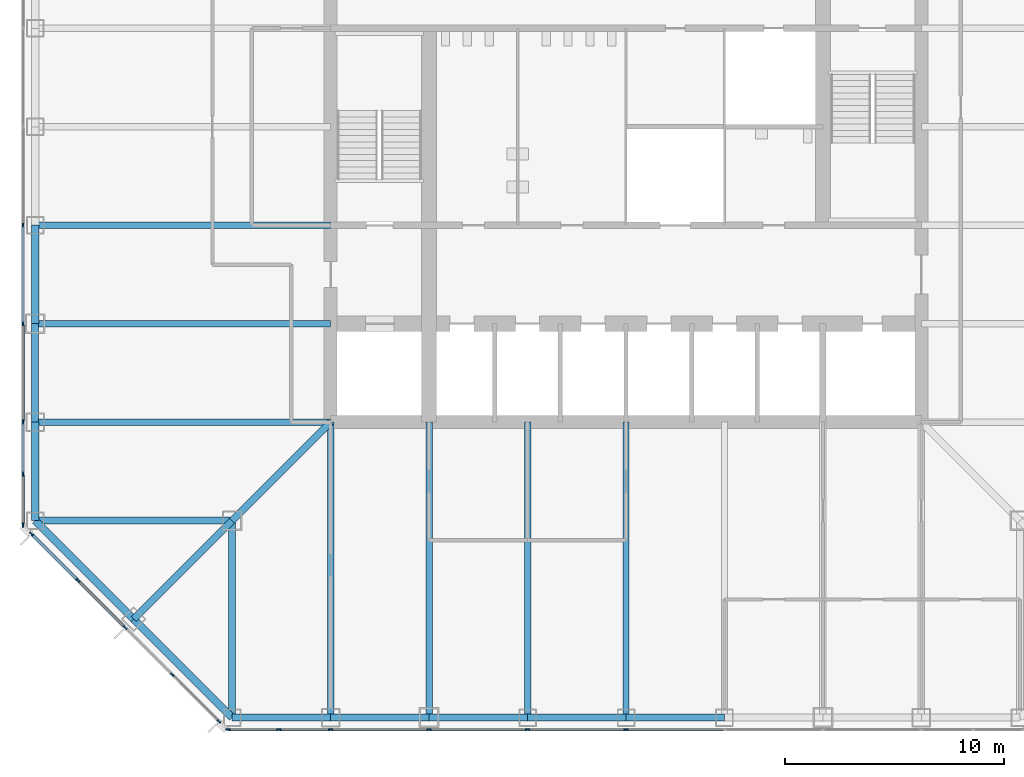
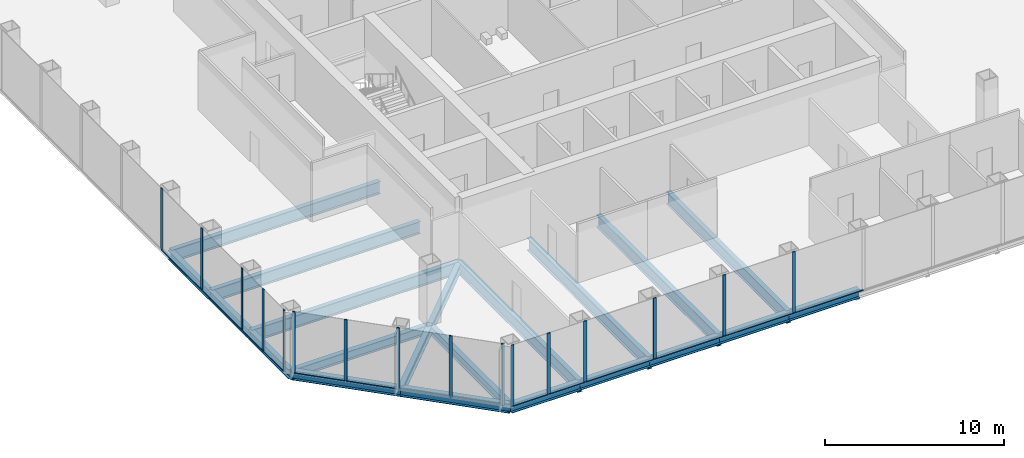
# One storey, part 2 of 12: 28 members, 21 beams, 3 elements without a shape of their own.
"""IFC4 building model written with IfcOpenShell, lengths in metres."""

from ifc_helpers import new_model, si_unit, direction, frame, origin, origin_2d, place, context, subcontext, project, spatial, rectangle, i_section, extrude, material, material_profile, profile_set, type_object, element, aggregate, save


model = new_model("IFC4")

# Units and contexts
model_context = context("Model", 3, precision=1e-05, world=origin(), true_north=direction((0.0, 1.0)))
body_context = subcontext(model_context, "Body", "Model", "MODEL_VIEW")
ifc_project = project(units=[si_unit("LENGTHUNIT", "METRE"), si_unit("AREAUNIT", "SQUARE_METRE"), si_unit("VOLUMEUNIT", "CUBIC_METRE"), si_unit("PLANEANGLEUNIT", "RADIAN"), si_unit("MASSUNIT", "GRAM", prefix="KILO")], contexts=[model_context])

# Site, building, storey
site_placement = place(None, origin())
site = spatial("IfcSite", under=ifc_project, at=site_placement, CompositionType="ELEMENT")
building_placement = place(site_placement, origin())
building = spatial("IfcBuilding", under=site, at=building_placement, Name="Corais Broadcast Tower", CompositionType="ELEMENT")
storey_placement = place(building_placement, frame((0.0, 0.0, 45.800048828125)))
storey = spatial("IfcBuildingStorey", under=building, at=storey_placement, Name="L09", CompositionType="ELEMENT", Elevation=45.800048828125)

# Beams
ifc_material_1 = material(Name="Steel ASTM A572 Grade 50", Category="steel")
ifc_material_profile_1 = material_profile(ifc_material_1, i_section(OverallWidth=0.323974609375, OverallDepth=0.611083984375, WebThickness=0.0126953125, FlangeThickness=0.01904296875, at=origin_2d()), Name="W610x155")
ifc_profile_set_1 = profile_set([ifc_material_profile_1], Name="Steel ASTM A572 Grade 50")
beam_type_1 = type_object("IfcBeamType", Name="Chamfer tie W610x155", PredefinedType="BEAM", material=ifc_profile_set_1)
beam_1_placement = place(storey_placement, frame((4.5, 4.5, -0.465576171875), z_axis=(0.707106781187, 0.707106781187, 0.0), x_axis=(-0.707106781187, 0.707106781187, 0.0)))
element("IfcBeam", 1, at=beam_1_placement, inside=storey, type_object=beam_type_1, Name="B5 B/4 to C/5", PredefinedType="BEAM", context=body_context, shape_type="SweptSolid", body=[
    extrude(i_section(OverallWidth=0.323974609375, OverallDepth=0.611083984375, WebThickness=0.0126953125, FlangeThickness=0.01904296875, at=origin_2d()), origin(), (0.0, 0.0, 1.0), 6.364013671875),
])
ifc_material_2 = material(Name="Steel ASTM A572 Grade 50", Category="steel")
ifc_material_profile_2 = material_profile(ifc_material_2, i_section(OverallWidth=0.323974609375, OverallDepth=0.611083984375, WebThickness=0.0126953125, FlangeThickness=0.01904296875, at=origin_2d()), Name="W610x155")
ifc_profile_set_2 = profile_set([ifc_material_profile_2], Name="Steel ASTM A572 Grade 50")
beam_type_2 = type_object("IfcBeamType", Name="Corner diagonal W610x155", PredefinedType="BEAM", material=ifc_profile_set_2)
beam_2_placement = place(storey_placement, frame((9.0, 9.0, -0.465576171875), z_axis=(0.707106781187, 0.707106781187, 0.0), x_axis=(-0.707106781187, 0.707106781187, 0.0)))
element("IfcBeam", 2, at=beam_2_placement, inside=storey, type_object=beam_type_2, Name="B6 C/5 to D/6", PredefinedType="BEAM", context=body_context, shape_type="SweptSolid", body=[
    extrude(i_section(OverallWidth=0.323974609375, OverallDepth=0.611083984375, WebThickness=0.0126953125, FlangeThickness=0.01904296875, at=origin_2d()), origin(), (0.0, 0.0, 1.0), 6.364013671875),
])
ifc_material_3 = material(Name="Steel ASTM A572 Grade 50", Category="steel")
ifc_material_profile_3 = material_profile(ifc_material_3, i_section(OverallWidth=0.323974609375, OverallDepth=0.611083984375, WebThickness=0.0126953125, FlangeThickness=0.01904296875, at=origin_2d()), Name="W610x155")
ifc_profile_set_3 = profile_set([ifc_material_profile_3], Name="Steel ASTM A572 Grade 50")
beam_type_3 = type_object("IfcBeamType", Name="Corner girder W610x155", PredefinedType="BEAM", material=ifc_profile_set_3)
for number, where, z_axis, x_axis, name in (
    (3, (0.0, 9.0, -0.465576171875), (1.0, 0.0, 0.0), (0.0, 1.0, 0.0), "B4 C/3 to C/5"),
    (4, (9.0, 0.0, -0.465576171875), (0.0, 1.0, 0.0), (-1.0, 0.0, 0.0), "B4 A/5 to C/5"),
):
    element("IfcBeam", number, at=place(storey_placement, frame(where, z_axis=z_axis, x_axis=x_axis)), inside=storey, type_object=beam_type_3, Name=name, PredefinedType="BEAM", context=body_context, shape_type="SweptSolid", body=[
        extrude(i_section(OverallWidth=0.323974609375, OverallDepth=0.611083984375, WebThickness=0.0126953125, FlangeThickness=0.01904296875, at=origin_2d()), origin(), (0.0, 0.0, 1.0), 9.0),
    ])
ifc_material_4 = material(Name="Steel ASTM A572 Grade 50", Category="steel")
ifc_material_profile_4 = material_profile(ifc_material_4, i_section(OverallWidth=0.2939453125, OverallDepth=0.85107421875, WebThickness=0.01611328125, FlangeThickness=0.02685546875, at=origin_2d()), Name="W840x226")
ifc_profile_set_4 = profile_set([ifc_material_profile_4], Name="Steel ASTM A572 Grade 50")
beam_type_4 = type_object("IfcBeamType", Name="Floor beam W840x226", PredefinedType="BEAM", material=ifc_profile_set_4)
for number, where, z_axis, x_axis, name in (
    (5, (0.0, 13.5, -0.58544921875), (1.0, 0.0, 0.0), (0.0, 1.0, 0.0), "B1 D/3 to D/6"),
    (6, (0.0, 18.0, -0.58544921875), (1.0, 0.0, 0.0), (0.0, 1.0, 0.0), "B1 E/3 to E/6"),
    (7, (0.0, 22.5, -0.58544921875), (1.0, 0.0, 0.0), (0.0, 1.0, 0.0), "B1 F/3 to F/6"),
    (8, (13.5, 0.0, -0.58544921875), (0.0, 1.0, 0.0), (-1.0, 0.0, 0.0), "B1 A/6 to D/6"),
    (9, (18.0, 0.0, -0.58544921875), (0.0, 1.0, 0.0), (-1.0, 0.0, 0.0), "B1 A/7 to D/7"),
    (10, (22.5, 0.0, -0.58544921875), (0.0, 1.0, 0.0), (-1.0, 0.0, 0.0), "B1 A/8 to D/8"),
    (11, (27.0, 0.0, -0.58544921875), (0.0, 1.0, 0.0), (-1.0, 0.0, 0.0), "B1 A/9 to D/9"),
):
    element("IfcBeam", number, at=place(storey_placement, frame(where, z_axis=z_axis, x_axis=x_axis)), inside=storey, type_object=beam_type_4, Name=name, PredefinedType="BEAM", context=body_context, shape_type="SweptSolid", body=[
        extrude(i_section(OverallWidth=0.2939453125, OverallDepth=0.85107421875, WebThickness=0.01611328125, FlangeThickness=0.02685546875, at=origin_2d()), origin(), (0.0, 0.0, 1.0), 13.5),
    ])

# Curtain wall, members
ifc_material_5 = material(Name="Aluminium and glass", Category="aluminium")
curtain_wall_type = type_object("IfcCurtainWallType", Name="Unitised fritted curtain wall CW1", PredefinedType="NOTDEFINED", material=ifc_material_5)
curtain_wall_1_placement = place(storey_placement, origin())
curtain_wall_1 = element("IfcCurtainWall", 12, at=curtain_wall_1_placement, inside=storey, type_object=curtain_wall_type, Name="CW1 curtain wall L09 1", PredefinedType="NOTDEFINED")
ifc_material_6 = material(Name="Aluminium 6063-T6", Category="aluminium")
ifc_material_profile_5 = material_profile(ifc_material_6, rectangle(XDim=0.06494140625, YDim=0.199951171875, at=origin_2d()), Name="Mullion CW1 65x200")
ifc_profile_set_5 = profile_set([ifc_material_profile_5], Name="Aluminium 6063-T6")
member_type_1 = type_object("IfcMemberType", Name="Mullion CW1 65x200", PredefinedType="MULLION", material=ifc_profile_set_5)
member_1_placement = place(storey_placement, frame((8.3955078125, -0.17333984375, 0.0), z_axis=(0.0, 0.0, 1.0), x_axis=(-0.707106781187, -0.707106781187, 0.0)))
member_1 = element("IfcMember", 13, at=member_1_placement, type_object=member_type_1, Name="CW1 mullion 1", PredefinedType="MULLION", context=body_context, shape_type="SweptSolid", body=[
    extrude(rectangle(XDim=0.06494140625, YDim=0.199951171875, at=origin_2d()), origin(), (0.0, 0.0, 1.0), 4.199951171875),
])
member_2_placement = place(storey_placement, frame((6.264892578125, 1.957275390625, 0.0), z_axis=(0.0, 0.0, 1.0), x_axis=(-0.707106781187, -0.707106781187, 0.0)))
member_2 = element("IfcMember", 14, at=member_2_placement, type_object=member_type_1, Name="CW1 mullion 2", PredefinedType="MULLION", context=body_context, shape_type="SweptSolid", body=[
    extrude(rectangle(XDim=0.06494140625, YDim=0.199951171875, at=origin_2d()), origin(), (0.0, 0.0, 1.0), 4.199951171875),
])
member_3_placement = place(storey_placement, frame((4.111083984375, 4.111083984375, 0.0), z_axis=(0.0, 0.0, 1.0), x_axis=(-0.707106781187, -0.707106781187, 0.0)))
member_3 = element("IfcMember", 15, at=member_3_placement, type_object=member_type_1, Name="CW1 mullion 3", PredefinedType="MULLION", context=body_context, shape_type="SweptSolid", body=[
    extrude(rectangle(XDim=0.06494140625, YDim=0.199951171875, at=origin_2d()), origin(), (0.0, 0.0, 1.0), 4.199951171875),
])
member_4_placement = place(storey_placement, frame((1.957275390625, 6.264892578125, 0.0), z_axis=(0.0, 0.0, 1.0), x_axis=(-0.707106781187, -0.707106781187, 0.0)))
member_4 = element("IfcMember", 16, at=member_4_placement, type_object=member_type_1, Name="CW1 mullion 4", PredefinedType="MULLION", context=body_context, shape_type="SweptSolid", body=[
    extrude(rectangle(XDim=0.06494140625, YDim=0.199951171875, at=origin_2d()), origin(), (0.0, 0.0, 1.0), 4.199951171875),
])
member_5_placement = place(storey_placement, frame((-0.17333984375, 8.3955078125, 0.0), z_axis=(0.0, 0.0, 1.0), x_axis=(-0.707106781187, -0.707106781187, 0.0)))
member_5 = element("IfcMember", 17, at=member_5_placement, type_object=member_type_1, Name="CW1 mullion 5", PredefinedType="MULLION", context=body_context, shape_type="SweptSolid", body=[
    extrude(rectangle(XDim=0.06494140625, YDim=0.199951171875, at=origin_2d()), origin(), (0.0, 0.0, 1.0), 4.199951171875),
])

curtain_wall_2_placement = place(storey_placement, origin())
curtain_wall_2 = element("IfcCurtainWall", 18, at=curtain_wall_2_placement, inside=storey, type_object=curtain_wall_type, Name="CW1 curtain wall L09 2", PredefinedType="NOTDEFINED")
member_6_placement = place(storey_placement, frame((-0.550048828125, 8.8046875, 0.0), z_axis=(0.0, 0.0, 1.0), x_axis=(-1.0, 0.0, 0.0)))
member_6 = element("IfcMember", 19, at=member_6_placement, type_object=member_type_1, Name="CW1 mullion 1", PredefinedType="MULLION", context=body_context, shape_type="SweptSolid", body=[
    extrude(rectangle(XDim=0.06494140625, YDim=0.199951171875, at=origin_2d()), origin(), (0.0, 0.0, 1.0), 4.199951171875),
])
member_7_placement = place(storey_placement, frame((-0.550048828125, 11.135986328125, 0.0), z_axis=(0.0, 0.0, 1.0), x_axis=(-1.0, 0.0, 0.0)))
member_7 = element("IfcMember", 20, at=member_7_placement, type_object=member_type_1, Name="CW1 mullion 2", PredefinedType="MULLION", context=body_context, shape_type="SweptSolid", body=[
    extrude(rectangle(XDim=0.06494140625, YDim=0.199951171875, at=origin_2d()), origin(), (0.0, 0.0, 1.0), 4.199951171875),
])
member_8_placement = place(storey_placement, frame((-0.550048828125, 13.5, 0.0), z_axis=(0.0, 0.0, 1.0), x_axis=(-1.0, 0.0, 0.0)))
member_8 = element("IfcMember", 21, at=member_8_placement, type_object=member_type_1, Name="CW1 mullion 3", PredefinedType="MULLION", context=body_context, shape_type="SweptSolid", body=[
    extrude(rectangle(XDim=0.06494140625, YDim=0.199951171875, at=origin_2d()), origin(), (0.0, 0.0, 1.0), 4.199951171875),
])
member_9_placement = place(storey_placement, frame((-0.550048828125, 18.0, 0.0), z_axis=(0.0, 0.0, 1.0), x_axis=(-1.0, 0.0, 0.0)))
member_9 = element("IfcMember", 22, at=member_9_placement, type_object=member_type_1, Name="CW1 mullion 4", PredefinedType="MULLION", context=body_context, shape_type="SweptSolid", body=[
    extrude(rectangle(XDim=0.06494140625, YDim=0.199951171875, at=origin_2d()), origin(), (0.0, 0.0, 1.0), 4.199951171875),
])
member_10_placement = place(storey_placement, frame((-0.550048828125, 22.5, 0.0), z_axis=(0.0, 0.0, 1.0), x_axis=(-1.0, 0.0, 0.0)))
member_10 = element("IfcMember", 23, at=member_10_placement, type_object=member_type_1, Name="CW1 mullion 5", PredefinedType="MULLION", context=body_context, shape_type="SweptSolid", body=[
    extrude(rectangle(XDim=0.06494140625, YDim=0.199951171875, at=origin_2d()), origin(), (0.0, 0.0, 1.0), 4.199951171875),
])

curtain_wall_3_placement = place(storey_placement, origin())
curtain_wall_3 = element("IfcCurtainWall", 24, at=curtain_wall_3_placement, inside=storey, type_object=curtain_wall_type, Name="CW1 curtain wall L09 8", PredefinedType="NOTDEFINED")
member_11_placement = place(storey_placement, frame((27.0, -0.550048828125, 0.0), z_axis=(0.0, 0.0, 1.0), x_axis=(0.0, -1.0, 0.0)))
member_11 = element("IfcMember", 25, at=member_11_placement, type_object=member_type_1, Name="CW1 mullion 6", PredefinedType="MULLION", context=body_context, shape_type="SweptSolid", body=[
    extrude(rectangle(XDim=0.06494140625, YDim=0.199951171875, at=origin_2d()), origin(), (0.0, 0.0, 1.0), 4.199951171875),
])
member_12_placement = place(storey_placement, frame((22.5, -0.550048828125, 0.0), z_axis=(0.0, 0.0, 1.0), x_axis=(0.0, -1.0, 0.0)))
member_12 = element("IfcMember", 26, at=member_12_placement, type_object=member_type_1, Name="CW1 mullion 7", PredefinedType="MULLION", context=body_context, shape_type="SweptSolid", body=[
    extrude(rectangle(XDim=0.06494140625, YDim=0.199951171875, at=origin_2d()), origin(), (0.0, 0.0, 1.0), 4.199951171875),
])
member_13_placement = place(storey_placement, frame((18.0, -0.550048828125, 0.0), z_axis=(0.0, 0.0, 1.0), x_axis=(0.0, -1.0, 0.0)))
member_13 = element("IfcMember", 27, at=member_13_placement, type_object=member_type_1, Name="CW1 mullion 8", PredefinedType="MULLION", context=body_context, shape_type="SweptSolid", body=[
    extrude(rectangle(XDim=0.06494140625, YDim=0.199951171875, at=origin_2d()), origin(), (0.0, 0.0, 1.0), 4.199951171875),
])
member_14_placement = place(storey_placement, frame((13.5, -0.550048828125, 0.0), z_axis=(0.0, 0.0, 1.0), x_axis=(0.0, -1.0, 0.0)))
member_14 = element("IfcMember", 28, at=member_14_placement, type_object=member_type_1, Name="CW1 mullion 9", PredefinedType="MULLION", context=body_context, shape_type="SweptSolid", body=[
    extrude(rectangle(XDim=0.06494140625, YDim=0.199951171875, at=origin_2d()), origin(), (0.0, 0.0, 1.0), 4.199951171875),
])
member_15_placement = place(storey_placement, frame((11.135986328125, -0.550048828125, 0.0), z_axis=(0.0, 0.0, 1.0), x_axis=(0.0, -1.0, 0.0)))
member_15 = element("IfcMember", 29, at=member_15_placement, type_object=member_type_1, Name="CW1 mullion 10", PredefinedType="MULLION", context=body_context, shape_type="SweptSolid", body=[
    extrude(rectangle(XDim=0.06494140625, YDim=0.199951171875, at=origin_2d()), origin(), (0.0, 0.0, 1.0), 4.199951171875),
])
member_16_placement = place(storey_placement, frame((8.8046875, -0.550048828125, 0.0), z_axis=(0.0, 0.0, 1.0), x_axis=(0.0, -1.0, 0.0)))
member_16 = element("IfcMember", 30, at=member_16_placement, type_object=member_type_1, Name="CW1 mullion 11", PredefinedType="MULLION", context=body_context, shape_type="SweptSolid", body=[
    extrude(rectangle(XDim=0.06494140625, YDim=0.199951171875, at=origin_2d()), origin(), (0.0, 0.0, 1.0), 4.199951171875),
])

# Beams
ifc_material_7 = material(Name="Steel ASTM A572 Grade 50", Category="steel")
ifc_material_profile_6 = material_profile(ifc_material_7, i_section(OverallWidth=0.323974609375, OverallDepth=0.611083984375, WebThickness=0.0126953125, FlangeThickness=0.01904296875, at=origin_2d()), Name="W610x155")
ifc_profile_set_6 = profile_set([ifc_material_profile_6], Name="Steel ASTM A572 Grade 50")
beam_type_5 = type_object("IfcBeamType", Name="Pinned spandrel W610x155", PredefinedType="BEAM", material=ifc_profile_set_6)
for number, where, z_axis, x_axis, name in (
    (31, (0.0, 18.0, -0.465576171875), (0.0, -1.0, 0.0), (1.0, 0.0, 0.0), "SB6 E/3 to D/3"),
    (32, (13.5, 0.0, -0.465576171875), (1.0, 0.0, 0.0), (0.0, 1.0, 0.0), "SB6 A/6 to A/7"),
):
    element("IfcBeam", number, at=place(storey_placement, frame(where, z_axis=z_axis, x_axis=x_axis)), inside=storey, type_object=beam_type_5, Name=name, PredefinedType="BEAM", context=body_context, shape_type="SweptSolid", body=[
        extrude(i_section(OverallWidth=0.323974609375, OverallDepth=0.611083984375, WebThickness=0.0126953125, FlangeThickness=0.01904296875, at=origin_2d()), origin(), (0.0, 0.0, 1.0), 4.5),
    ])
ifc_material_8 = material(Name="Steel ASTM A572 Grade 50", Category="steel")
ifc_material_profile_7 = material_profile(ifc_material_8, i_section(OverallWidth=0.3291015625, OverallDepth=0.635009765625, WebThickness=0.017822265625, FlangeThickness=0.031005859375, at=origin_2d()), Name="W610x241")
ifc_profile_set_7 = profile_set([ifc_material_profile_7], Name="Steel ASTM A572 Grade 50")
beam_type_6 = type_object("IfcBeamType", Name="Spandrel W610x241", PredefinedType="BEAM", material=ifc_profile_set_7)
for number, where, z_axis, x_axis, name in (
    (33, (0.0, 13.5, -0.4775390625), (0.0, -1.0, 0.0), (1.0, 0.0, 0.0), "SB1 D/3 to C/3"),
    (34, (0.0, 22.5, -0.4775390625), (0.0, -1.0, 0.0), (1.0, 0.0, 0.0), "SB1 F/3 to E/3"),
):
    element("IfcBeam", number, at=place(storey_placement, frame(where, z_axis=z_axis, x_axis=x_axis)), inside=storey, type_object=beam_type_6, Name=name, PredefinedType="BEAM", context=body_context, shape_type="SweptSolid", body=[
        extrude(i_section(OverallWidth=0.3291015625, OverallDepth=0.635009765625, WebThickness=0.017822265625, FlangeThickness=0.031005859375, at=origin_2d()), origin(), (0.0, 0.0, 1.0), 4.5),
    ])
beam_3_placement = place(storey_placement, frame((0.0, 9.0, -0.4775390625), z_axis=(0.707106781187, -0.707106781187, 0.0), x_axis=(0.707106781187, 0.707106781187, 0.0)))
element("IfcBeam", 35, at=beam_3_placement, inside=storey, type_object=beam_type_6, Name="SB1 C/3 to B/4", PredefinedType="BEAM", context=body_context, shape_type="SweptSolid", body=[
    extrude(i_section(OverallWidth=0.3291015625, OverallDepth=0.635009765625, WebThickness=0.017822265625, FlangeThickness=0.031005859375, at=origin_2d()), origin(), (0.0, 0.0, 1.0), 6.364013671875),
])
for number, where, z_axis, x_axis, name in (
    (36, (18.0, 0.0, -0.4775390625), (1.0, 0.0, 0.0), (0.0, 1.0, 0.0), "SB1 A/7 to A/8"),
    (37, (22.5, 0.0, -0.4775390625), (1.0, 0.0, 0.0), (0.0, 1.0, 0.0), "SB1 A/8 to A/9"),
    (38, (27.0, 0.0, -0.4775390625), (1.0, 0.0, 0.0), (0.0, 1.0, 0.0), "SB1 A/9 to A/10"),
):
    element("IfcBeam", number, at=place(storey_placement, frame(where, z_axis=z_axis, x_axis=x_axis)), inside=storey, type_object=beam_type_6, Name=name, PredefinedType="BEAM", context=body_context, shape_type="SweptSolid", body=[
        extrude(i_section(OverallWidth=0.3291015625, OverallDepth=0.635009765625, WebThickness=0.017822265625, FlangeThickness=0.031005859375, at=origin_2d()), origin(), (0.0, 0.0, 1.0), 4.5),
    ])
beam_4_placement = place(storey_placement, frame((4.5, 4.5, -0.4775390625), z_axis=(0.707106781187, -0.707106781187, 0.0), x_axis=(0.707106781187, 0.707106781187, 0.0)))
element("IfcBeam", 39, at=beam_4_placement, inside=storey, type_object=beam_type_6, Name="SB1 B/4 to A/5", PredefinedType="BEAM", context=body_context, shape_type="SweptSolid", body=[
    extrude(i_section(OverallWidth=0.3291015625, OverallDepth=0.635009765625, WebThickness=0.017822265625, FlangeThickness=0.031005859375, at=origin_2d()), origin(), (0.0, 0.0, 1.0), 6.364013671875),
])
beam_5_placement = place(storey_placement, frame((9.0, 0.0, -0.4775390625), z_axis=(1.0, 0.0, 0.0), x_axis=(0.0, 1.0, 0.0)))
element("IfcBeam", 40, at=beam_5_placement, inside=storey, type_object=beam_type_6, Name="SB1 A/5 to A/6", PredefinedType="BEAM", context=body_context, shape_type="SweptSolid", body=[
    extrude(i_section(OverallWidth=0.3291015625, OverallDepth=0.635009765625, WebThickness=0.017822265625, FlangeThickness=0.031005859375, at=origin_2d()), origin(), (0.0, 0.0, 1.0), 4.5),
])

# Member
ifc_material_9 = material(Name="Aluminium 6063-T6", Category="aluminium")
ifc_material_profile_8 = material_profile(ifc_material_9, rectangle(XDim=0.139892578125, YDim=0.06494140625, at=origin_2d()), Name="Transom CW1 65x140")
ifc_profile_set_8 = profile_set([ifc_material_profile_8], Name="Aluminium 6063-T6")
member_type_2 = type_object("IfcMemberType", Name="Transom CW1 65x140", PredefinedType="USERDEFINED", material=ifc_profile_set_8)
member_17_placement = place(storey_placement, frame((4.088134765625, 4.134033203125, 0.032470703125), z_axis=(-0.707106781187, 0.707106781187, 0.0), x_axis=(-0.707106781187, -0.707106781187, 0.0)))
member_17 = element("IfcMember", 41, at=member_17_placement, type_object=member_type_2, Name="CW1 transom 3.1", ObjectType="TRANSOM", PredefinedType="USERDEFINED", context=body_context, shape_type="SweptSolid", body=[
    extrude(rectangle(XDim=0.139892578125, YDim=0.06494140625, at=origin_2d()), origin(), (0.0, 0.0, 1.0), 2.98095703125),
])

member_18_placement = place(storey_placement, frame((1.934326171875, 6.287841796875, 0.032470703125), z_axis=(-0.707106781187, 0.707106781187, 0.0), x_axis=(-0.707106781187, -0.707106781187, 0.0)))
member_18 = element("IfcMember", 42, at=member_18_placement, type_object=member_type_2, Name="CW1 transom 4.1", ObjectType="TRANSOM", PredefinedType="USERDEFINED", context=body_context, shape_type="SweptSolid", body=[
    extrude(rectangle(XDim=0.139892578125, YDim=0.06494140625, at=origin_2d()), origin(), (0.0, 0.0, 1.0), 2.9482421875),
])

aggregate(curtain_wall_1, [member_1, member_2, member_3, member_4, member_5, member_17, member_18])

member_19_placement = place(storey_placement, frame((-0.550048828125, 8.837158203125, 0.032470703125), z_axis=(0.0, 1.0, 0.0), x_axis=(-1.0, 0.0, 0.0)))
member_19 = element("IfcMember", 43, at=member_19_placement, type_object=member_type_2, Name="CW1 transom 1.1", ObjectType="TRANSOM", PredefinedType="USERDEFINED", context=body_context, shape_type="SweptSolid", body=[
    extrude(rectangle(XDim=0.139892578125, YDim=0.06494140625, at=origin_2d()), origin(), (0.0, 0.0, 1.0), 2.266357421875),
])

member_20_placement = place(storey_placement, frame((-0.550048828125, 11.168701171875, 0.032470703125), z_axis=(0.0, 1.0, 0.0), x_axis=(-1.0, 0.0, 0.0)))
member_20 = element("IfcMember", 44, at=member_20_placement, type_object=member_type_2, Name="CW1 transom 2.1", ObjectType="TRANSOM", PredefinedType="USERDEFINED", context=body_context, shape_type="SweptSolid", body=[
    extrude(rectangle(XDim=0.139892578125, YDim=0.06494140625, at=origin_2d()), origin(), (0.0, 0.0, 1.0), 2.298828125),
])

member_21_placement = place(storey_placement, frame((-0.550048828125, 13.532470703125, 0.032470703125), z_axis=(0.0, 1.0, 0.0), x_axis=(-1.0, 0.0, 0.0)))
member_21 = element("IfcMember", 45, at=member_21_placement, type_object=member_type_2, Name="CW1 transom 3.1", ObjectType="TRANSOM", PredefinedType="USERDEFINED", context=body_context, shape_type="SweptSolid", body=[
    extrude(rectangle(XDim=0.139892578125, YDim=0.06494140625, at=origin_2d()), origin(), (0.0, 0.0, 1.0), 4.43505859375),
])

member_22_placement = place(storey_placement, frame((-0.550048828125, 18.032470703125, 0.032470703125), z_axis=(0.0, 1.0, 0.0), x_axis=(-1.0, 0.0, 0.0)))
member_22 = element("IfcMember", 46, at=member_22_placement, type_object=member_type_2, Name="CW1 transom 4.1", ObjectType="TRANSOM", PredefinedType="USERDEFINED", context=body_context, shape_type="SweptSolid", body=[
    extrude(rectangle(XDim=0.139892578125, YDim=0.06494140625, at=origin_2d()), origin(), (0.0, 0.0, 1.0), 4.43505859375),
])

aggregate(curtain_wall_2, [member_6, member_7, member_8, member_9, member_10, member_19, member_20, member_21, member_22])

member_23_placement = place(storey_placement, frame((31.467529296875, -0.550048828125, 0.032470703125), z_axis=(-1.0, 0.0, 0.0), x_axis=(0.0, -1.0, 0.0)))
member_23 = element("IfcMember", 47, at=member_23_placement, type_object=member_type_2, Name="CW1 transom 5.1", ObjectType="TRANSOM", PredefinedType="USERDEFINED", context=body_context, shape_type="SweptSolid", body=[
    extrude(rectangle(XDim=0.139892578125, YDim=0.06494140625, at=origin_2d()), origin(), (0.0, 0.0, 1.0), 4.43505859375),
])

member_24_placement = place(storey_placement, frame((26.967529296875, -0.550048828125, 0.032470703125), z_axis=(-1.0, 0.0, 0.0), x_axis=(0.0, -1.0, 0.0)))
member_24 = element("IfcMember", 48, at=member_24_placement, type_object=member_type_2, Name="CW1 transom 6.1", ObjectType="TRANSOM", PredefinedType="USERDEFINED", context=body_context, shape_type="SweptSolid", body=[
    extrude(rectangle(XDim=0.139892578125, YDim=0.06494140625, at=origin_2d()), origin(), (0.0, 0.0, 1.0), 4.43505859375),
])

member_25_placement = place(storey_placement, frame((22.467529296875, -0.550048828125, 0.032470703125), z_axis=(-1.0, 0.0, 0.0), x_axis=(0.0, -1.0, 0.0)))
member_25 = element("IfcMember", 49, at=member_25_placement, type_object=member_type_2, Name="CW1 transom 7.1", ObjectType="TRANSOM", PredefinedType="USERDEFINED", context=body_context, shape_type="SweptSolid", body=[
    extrude(rectangle(XDim=0.139892578125, YDim=0.06494140625, at=origin_2d()), origin(), (0.0, 0.0, 1.0), 4.43505859375),
])

member_26_placement = place(storey_placement, frame((17.967529296875, -0.550048828125, 0.032470703125), z_axis=(-1.0, 0.0, 0.0), x_axis=(0.0, -1.0, 0.0)))
member_26 = element("IfcMember", 50, at=member_26_placement, type_object=member_type_2, Name="CW1 transom 8.1", ObjectType="TRANSOM", PredefinedType="USERDEFINED", context=body_context, shape_type="SweptSolid", body=[
    extrude(rectangle(XDim=0.139892578125, YDim=0.06494140625, at=origin_2d()), origin(), (0.0, 0.0, 1.0), 4.43505859375),
])

member_27_placement = place(storey_placement, frame((13.467529296875, -0.550048828125, 0.032470703125), z_axis=(-1.0, 0.0, 0.0), x_axis=(0.0, -1.0, 0.0)))
member_27 = element("IfcMember", 51, at=member_27_placement, type_object=member_type_2, Name="CW1 transom 9.1", ObjectType="TRANSOM", PredefinedType="USERDEFINED", context=body_context, shape_type="SweptSolid", body=[
    extrude(rectangle(XDim=0.139892578125, YDim=0.06494140625, at=origin_2d()), origin(), (0.0, 0.0, 1.0), 2.298828125),
])

member_28_placement = place(storey_placement, frame((11.103515625, -0.550048828125, 0.032470703125), z_axis=(-1.0, 0.0, 0.0), x_axis=(0.0, -1.0, 0.0)))
member_28 = element("IfcMember", 52, at=member_28_placement, type_object=member_type_2, Name="CW1 transom 10.1", ObjectType="TRANSOM", PredefinedType="USERDEFINED", context=body_context, shape_type="SweptSolid", body=[
    extrude(rectangle(XDim=0.139892578125, YDim=0.06494140625, at=origin_2d()), origin(), (0.0, 0.0, 1.0), 2.266357421875),
])

aggregate(curtain_wall_3, [member_11, member_12, member_13, member_14, member_15, member_16, member_23, member_24, member_25, member_26, member_27, member_28])

save(model, "model.ifc")
